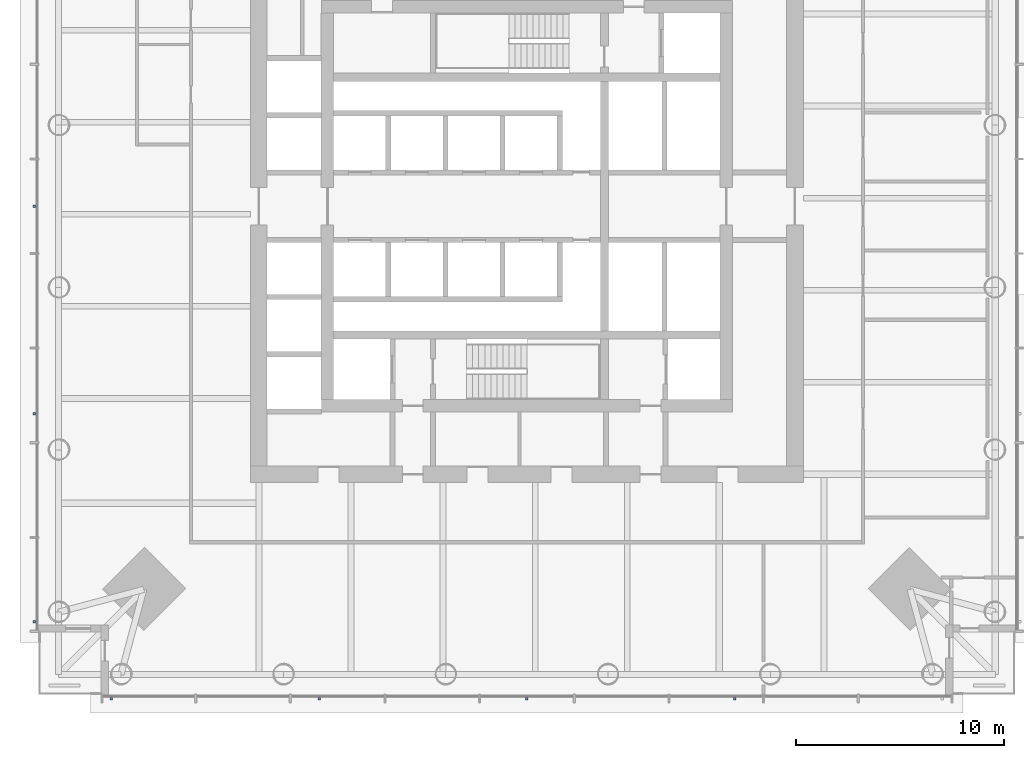
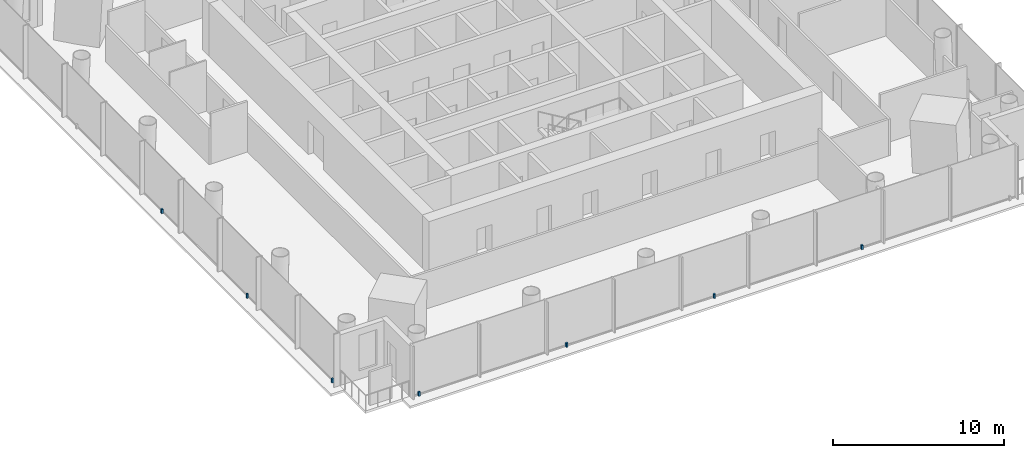
# One storey, part 18 of 26: 7 discrete accessories.
"""IFC4 building model written with IfcOpenShell, lengths in metres."""

from ifc_helpers import new_model, si_unit, direction, frame, origin, origin_2d, place, context, subcontext, project, spatial, rectangle, extrude, material, type_object, element, save


model = new_model("IFC4")

# Units and contexts
model_context = context("Model", 3, precision=1e-05, world=origin(), true_north=direction((0.0, 1.0)))
body_context = subcontext(model_context, "Body", "Model", "MODEL_VIEW")
ifc_project = project(units=[si_unit("LENGTHUNIT", "METRE"), si_unit("AREAUNIT", "SQUARE_METRE"), si_unit("VOLUMEUNIT", "CUBIC_METRE"), si_unit("PLANEANGLEUNIT", "RADIAN"), si_unit("MASSUNIT", "GRAM", prefix="KILO")], contexts=[model_context])

# Site, building, storey
site_placement = place(None, origin())
site = spatial("IfcSite", under=ifc_project, at=site_placement, CompositionType="ELEMENT")
building_placement = place(site_placement, origin())
building = spatial("IfcBuilding", under=site, at=building_placement, Name="Ostroluk Exchange", CompositionType="ELEMENT")
storey_placement = place(building_placement, frame((0.0, 0.0, 66.60009765625)))
storey = spatial("IfcBuildingStorey", under=building, at=storey_placement, Name="L16", CompositionType="ELEMENT", Elevation=66.60009765625)

# Discrete accessories
ifc_material = material(Name="Stainless steel", Category="steel")
discrete_accessory_type = type_object("IfcDiscreteAccessoryType", Name="Fall-arrest anchor PN-EN 795 type C", PredefinedType="USERDEFINED", material=ifc_material)
for number, where, z_axis, x_axis, name in (
    (1, (25.0, 22.2900390625, 0.0), (0.0, 0.0, 1.0), (1.0, 0.0, 0.0), "Fall-arrest anchor L16 south 1"),
    (2, (35.0, 22.2900390625, 0.0), (0.0, 0.0, 1.0), (1.0, 0.0, 0.0), "Fall-arrest anchor L16 south 2"),
    (3, (45.0, 22.2900390625, 0.0), (0.0, 0.0, 1.0), (1.0, 0.0, 0.0), "Fall-arrest anchor L16 south 3"),
    (4, (55.0, 22.2900390625, 0.0), (0.0, 0.0, 1.0), (1.0, 0.0, 0.0), "Fall-arrest anchor L16 south 4"),
    (5, (21.2900390625, 26.0, 0.0), (0.0, 0.0, 1.0), (1.0, 0.0, 0.0), "Fall-arrest anchor L16 west 1"),
    (6, (21.2900390625, 36.0, 0.0), (0.0, 0.0, 1.0), (1.0, 0.0, 0.0), "Fall-arrest anchor L16 west 2"),
    (7, (21.2900390625, 46.0, 0.0), (0.0, 0.0, 1.0), (1.0, 0.0, 0.0), "Fall-arrest anchor L16 west 3"),
):
    element("IfcDiscreteAccessory", number, at=place(storey_placement, frame(where, z_axis=z_axis, x_axis=x_axis)), inside=storey, type_object=discrete_accessory_type, Name=name, ObjectType="FALL ARREST ANCHOR", PredefinedType="USERDEFINED", context=body_context, shape_type="SweptSolid", body=[
        extrude(rectangle(XDim=0.1201171875, YDim=0.1201171875, at=origin_2d()), origin(), (0.0, 0.0, 1.0), 0.300048828125),
    ])

save(model, "model.ifc")
